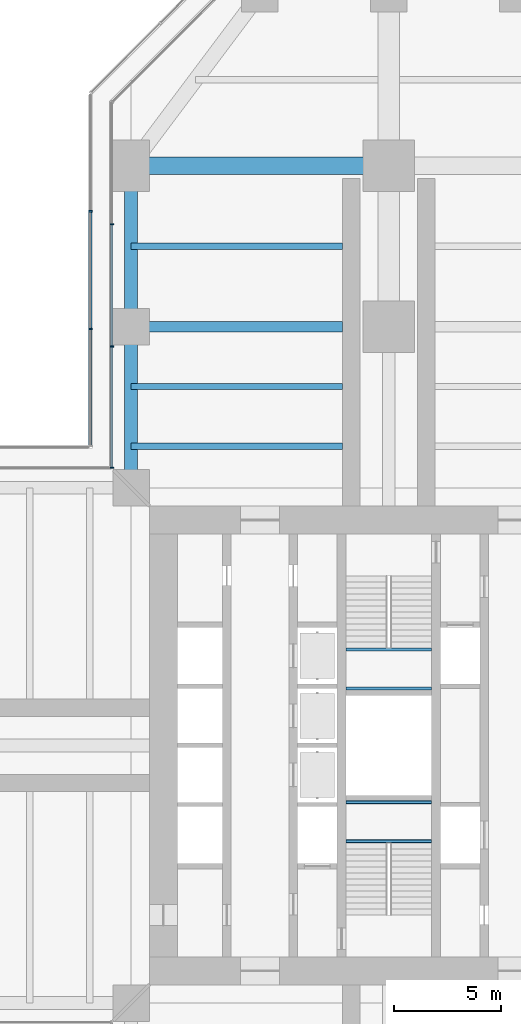
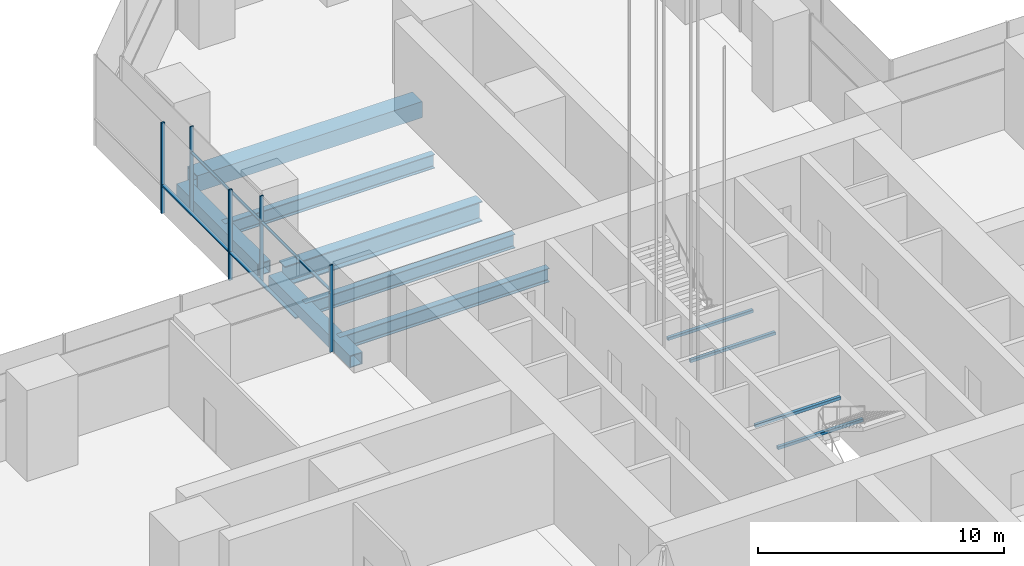
# One storey, part 8 of 27: 11 beams, 9 members, 2 elements without a shape of their own.
"""IFC4 building model written with IfcOpenShell, lengths in metres."""

from ifc_helpers import new_model, si_unit, direction, frame, origin, origin_2d, place, context, subcontext, project, spatial, rectangle, hollow_rectangle, i_section, extrude, material, material_profile, profile_set, type_object, element, aggregate, save


model = new_model("IFC4")

# Units and contexts
model_context = context("Model", 3, precision=1e-05, world=origin(), true_north=direction((0.0, 1.0)))
body_context = subcontext(model_context, "Body", "Model", "MODEL_VIEW")
ifc_project = project(units=[si_unit("LENGTHUNIT", "METRE"), si_unit("AREAUNIT", "SQUARE_METRE"), si_unit("VOLUMEUNIT", "CUBIC_METRE"), si_unit("PLANEANGLEUNIT", "RADIAN"), si_unit("MASSUNIT", "GRAM", prefix="KILO")], contexts=[model_context])

# Site, building, storey
site_placement = place(None, origin())
site = spatial("IfcSite", under=ifc_project, at=site_placement, CompositionType="ELEMENT")
building_placement = place(site_placement, origin())
building = spatial("IfcBuilding", under=site, at=building_placement, Name="Mizan Broadcast Tower", CompositionType="ELEMENT")
storey_placement = place(building_placement, frame((0.0, 0.0, 113.699951171875)))
storey = spatial("IfcBuildingStorey", under=building, at=storey_placement, Name="L25", CompositionType="ELEMENT", Elevation=113.699951171875)

# Beams
ifc_material_1 = material(Name="Steel S355", Category="steel")
ifc_material_profile_1 = material_profile(ifc_material_1, hollow_rectangle(XDim=0.60009765625, YDim=0.60009765625, WallThickness=0.0400390625, at=origin_2d()), Name="BOX 600x600x40")
ifc_profile_set_1 = profile_set([ifc_material_profile_1], Name="Steel S355")
beam_type_1 = type_object("IfcBeamType", Name="EDGE BEAM BOX 600x600x40", PredefinedType="SPANDREL", material=ifc_profile_set_1)
for number, where, z_axis, x_axis, name in (
    (1, (-12.0, 12.449951171875, -0.429931640625), (0.0, 1.0, 0.0), (-1.0, 0.0, 0.0), "Edge beam BOX 600x600x40 L25 north arm"),
    (2, (-12.0, 19.949951171875, -0.429931640625), (0.0, 1.0, 0.0), (-1.0, 0.0, 0.0), "Edge beam BOX 600x600x40 L25 north arm"),
):
    element("IfcBeam", number, at=place(storey_placement, frame(where, z_axis=z_axis, x_axis=x_axis)), inside=storey, type_object=beam_type_1, Name=name, PredefinedType="SPANDREL", context=body_context, shape_type="SweptSolid", body=[
        extrude(hollow_rectangle(XDim=0.60009765625, YDim=0.60009765625, WallThickness=0.0400390625, at=origin_2d()), origin(), (0.0, 0.0, 1.0), 6.60009765625),
    ])
ifc_material_2 = material(Name="Steel S460", Category="steel")
ifc_material_profile_2 = material_profile(ifc_material_2, hollow_rectangle(XDim=0.800048828125, YDim=0.800048828125, WallThickness=0.050048828125, at=origin_2d()), Name="BOX 800x800x50")
ifc_profile_set_2 = profile_set([ifc_material_profile_2], Name="Steel S460")
beam_type_2 = type_object("IfcBeamType", Name="GIRDER BOX 800x800x50", PredefinedType="BEAM", material=ifc_profile_set_2)
beam_1_placement = place(storey_placement, frame((-11.280029296875, 27.0, -0.530029296875), z_axis=(1.0, 0.0, 0.0), x_axis=(0.0, 1.0, 0.0)))
element("IfcBeam", 3, at=beam_1_placement, inside=storey, type_object=beam_type_2, Name="Girder BOX 800x800x50 L25 north arm", PredefinedType="BEAM", context=body_context, shape_type="SweptSolid", body=[
    extrude(hollow_rectangle(XDim=0.800048828125, YDim=0.800048828125, WallThickness=0.050048828125, at=origin_2d()), origin(), (0.0, 0.0, 1.0), 10.56005859375),
])
ifc_material_3 = material(Name="Steel S460", Category="steel")
ifc_material_profile_3 = material_profile(ifc_material_3, i_section(OverallWidth=0.5, OverallDepth=1.0, WebThickness=0.02490234375, FlangeThickness=0.050048828125, at=origin_2d()), Name="WPG 1000x500")
ifc_profile_set_3 = profile_set([ifc_material_profile_3], Name="Steel S460")
beam_type_3 = type_object("IfcBeamType", Name="GIRDER WPG 1000x500", PredefinedType="BEAM", material=ifc_profile_set_3)
beam_2_placement = place(storey_placement, frame((-11.408935546875, 19.5, -0.6298828125), z_axis=(1.0, 0.0, 0.0), x_axis=(0.0, 1.0, 0.0)))
element("IfcBeam", 4, at=beam_2_placement, inside=storey, type_object=beam_type_3, Name="Girder WPG 1000x500 L25 north arm", PredefinedType="BEAM", context=body_context, shape_type="SweptSolid", body=[
    extrude(i_section(OverallWidth=0.5, OverallDepth=1.0, WebThickness=0.02490234375, FlangeThickness=0.050048828125, at=origin_2d()), origin(), (0.0, 0.0, 1.0), 9.259033203125),
])

# Curtain wall, members
ifc_material_4 = material(Name="Aluminium framed glazing", Category="aluminium")
curtain_wall_type_1 = type_object("IfcCurtainWallType", Name="INNER SKIN MID ZONE", PredefinedType="USERDEFINED", material=ifc_material_4)
curtain_wall_1_placement = place(storey_placement, origin())
curtain_wall_1 = element("IfcCurtainWall", 5, at=curtain_wall_1_placement, inside=storey, type_object=curtain_wall_type_1, Name="Inner skin mid zone L25 N side", ObjectType="INNER SKIN MID ZONE", PredefinedType="USERDEFINED")
ifc_material_5 = material(Name="Aluminium, pale anodised", Category="aluminium")
ifc_material_profile_4 = material_profile(ifc_material_5, rectangle(XDim=0.159912109375, YDim=0.06005859375, at=origin_2d()), Name="MULLION 160x60")
ifc_profile_set_4 = profile_set([ifc_material_profile_4], Name="Aluminium, pale anodised")
member_type_1 = type_object("IfcMemberType", Name="INNER SKIN MULLION 60x160", PredefinedType="MULLION", material=ifc_profile_set_4)
member_1_placement = place(storey_placement, frame((-12.89990234375, 24.2724609375, 0.0), z_axis=(0.0, 0.0, 1.0), x_axis=(1.0, 0.0, 0.0)))
member_1 = element("IfcMember", 6, at=member_1_placement, type_object=member_type_1, Name="Inner skin mid zone L25 N side mullion 2", PredefinedType="MULLION", context=body_context, shape_type="SweptSolid", body=[
    extrude(rectangle(XDim=0.159912109375, YDim=0.06005859375, at=origin_2d()), origin(), (0.0, 0.0, 1.0), 4.320068359375),
])
member_2_placement = place(storey_placement, frame((-12.89990234375, 18.586181640625, 0.0), z_axis=(0.0, 0.0, 1.0), x_axis=(1.0, 0.0, 0.0)))
member_2 = element("IfcMember", 7, at=member_2_placement, type_object=member_type_1, Name="Inner skin mid zone L25 N side mullion 3", PredefinedType="MULLION", context=body_context, shape_type="SweptSolid", body=[
    extrude(rectangle(XDim=0.159912109375, YDim=0.06005859375, at=origin_2d()), origin(), (0.0, 0.0, 1.0), 4.320068359375),
])
member_3_placement = place(storey_placement, frame((-12.89990234375, 12.929931640625, 0.0), z_axis=(0.0, 0.0, 1.0), x_axis=(1.0, 0.0, 0.0)))
member_3 = element("IfcMember", 8, at=member_3_placement, type_object=member_type_1, Name="Inner skin mid zone L25 N side mullion 4", PredefinedType="MULLION", context=body_context, shape_type="SweptSolid", body=[
    extrude(rectangle(XDim=0.159912109375, YDim=0.06005859375, at=origin_2d()), origin(), (0.0, 0.0, 1.0), 4.320068359375),
])
ifc_material_6 = material(Name="Aluminium, pale anodised", Category="aluminium")
ifc_material_profile_5 = material_profile(ifc_material_6, rectangle(XDim=0.1201171875, YDim=0.06005859375, at=origin_2d()), Name="TRANSOM 120x60")
ifc_profile_set_5 = profile_set([ifc_material_profile_5], Name="Aluminium, pale anodised")
member_type_2 = type_object("IfcMemberType", Name="INNER SKIN TRANSOM 60x120", PredefinedType="USERDEFINED", material=ifc_profile_set_5)
member_4_placement = place(storey_placement, frame((-12.89990234375, 24.242431640625, 3.030029296875), z_axis=(0.0, -1.0, 0.0), x_axis=(1.0, 0.0, 0.0)))
member_4 = element("IfcMember", 9, at=member_4_placement, type_object=member_type_2, Name="Inner skin mid zone L25 N side transom 2.1", ObjectType="TRANSOM", PredefinedType="USERDEFINED", context=body_context, shape_type="SweptSolid", body=[
    extrude(rectangle(XDim=0.1201171875, YDim=0.06005859375, at=origin_2d()), origin(), (0.0, 0.0, 1.0), 5.626220703125),
])
member_5_placement = place(storey_placement, frame((-12.89990234375, 18.55615234375, 3.030029296875), z_axis=(0.0, -1.0, 0.0), x_axis=(1.0, 0.0, 0.0)))
member_5 = element("IfcMember", 10, at=member_5_placement, type_object=member_type_2, Name="Inner skin mid zone L25 N side transom 3.1", ObjectType="TRANSOM", PredefinedType="USERDEFINED", context=body_context, shape_type="SweptSolid", body=[
    extrude(rectangle(XDim=0.1201171875, YDim=0.06005859375, at=origin_2d()), origin(), (0.0, 0.0, 1.0), 5.59619140625),
])
aggregate(curtain_wall_1, [member_1, member_2, member_3, member_4, member_5])

# Beams
ifc_material_7 = material(Name="Steel S355", Category="steel")
ifc_material_profile_6 = material_profile(ifc_material_7, hollow_rectangle(XDim=0.14990234375, YDim=0.14990234375, WallThickness=0.008056640625, InnerFilletRadius=0.008056640625, OuterFilletRadius=0.011962890625, at=origin_2d()), Name="SHS 150x150x8")
ifc_profile_set_6 = profile_set([ifc_material_profile_6], Name="Steel S355")
beam_type_4 = type_object("IfcBeamType", Name="LANDING TRIMMER SHS 150x150x8", PredefinedType="BEAM", material=ifc_profile_set_6)
for number, where, z_axis, x_axis, name in (
    (11, (-2.0, -4.465087890625, 1.97509765625), (1.0, 0.0, 0.0), (0.0, 1.0, 0.0), "Stair A landing trimmer L25"),
    (12, (-2.0, -2.64990234375, 1.97509765625), (1.0, 0.0, 0.0), (0.0, 1.0, 0.0), "Stair A landing trimmer L25"),
    (13, (2.0, 4.465087890625, 1.97509765625), (-1.0, 0.0, 0.0), (0.0, -1.0, 0.0), "Stair B landing trimmer L25"),
    (14, (2.0, 2.64990234375, 1.97509765625), (-1.0, 0.0, 0.0), (0.0, -1.0, 0.0), "Stair B landing trimmer L25"),
):
    element("IfcBeam", number, at=place(storey_placement, frame(where, z_axis=z_axis, x_axis=x_axis)), inside=storey, type_object=beam_type_4, Name=name, PredefinedType="BEAM", context=body_context, shape_type="SweptSolid", body=[
        extrude(hollow_rectangle(XDim=0.14990234375, YDim=0.14990234375, WallThickness=0.008056640625, InnerFilletRadius=0.008056640625, OuterFilletRadius=0.011962890625, at=origin_2d()), origin(), (0.0, 0.0, 1.0), 4.0),
    ])

# Curtain wall, members
ifc_material_8 = material(Name="Aluminium framed glazing", Category="aluminium")
curtain_wall_type_2 = type_object("IfcCurtainWallType", Name="OUTER SKIN", PredefinedType="USERDEFINED", material=ifc_material_8)
curtain_wall_2_placement = place(storey_placement, origin())
curtain_wall_2 = element("IfcCurtainWall", 15, at=curtain_wall_2_placement, inside=storey, type_object=curtain_wall_type_2, Name="Outer skin L25 N side", ObjectType="OUTER SKIN", PredefinedType="USERDEFINED")
ifc_material_9 = material(Name="Aluminium, pale anodised", Category="aluminium")
ifc_material_profile_7 = material_profile(ifc_material_9, rectangle(XDim=0.159912109375, YDim=0.080078125, at=origin_2d()), Name="MULLION 160x80")
ifc_profile_set_7 = profile_set([ifc_material_profile_7], Name="Aluminium, pale anodised")
member_type_3 = type_object("IfcMemberType", Name="OUTER SKIN MULLION 80x160", PredefinedType="MULLION", material=ifc_profile_set_7)
member_6_placement = place(storey_placement, frame((-13.89990234375, 24.8818359375, 0.0), z_axis=(0.0, 0.0, 1.0), x_axis=(1.0, 0.0, 0.0)))
member_6 = element("IfcMember", 16, at=member_6_placement, type_object=member_type_3, Name="Outer skin L25 N side mullion 2", PredefinedType="MULLION", context=body_context, shape_type="SweptSolid", body=[
    extrude(rectangle(XDim=0.159912109375, YDim=0.080078125, at=origin_2d()), origin(), (0.0, 0.0, 1.0), 4.5),
])
member_7_placement = place(storey_placement, frame((-13.89990234375, 19.390869140625, 0.0), z_axis=(0.0, 0.0, 1.0), x_axis=(1.0, 0.0, 0.0)))
member_7 = element("IfcMember", 17, at=member_7_placement, type_object=member_type_3, Name="Outer skin L25 N side mullion 3", PredefinedType="MULLION", context=body_context, shape_type="SweptSolid", body=[
    extrude(rectangle(XDim=0.159912109375, YDim=0.080078125, at=origin_2d()), origin(), (0.0, 0.0, 1.0), 4.5),
])
ifc_material_10 = material(Name="Aluminium, pale anodised", Category="aluminium")
ifc_material_profile_8 = material_profile(ifc_material_10, rectangle(XDim=0.159912109375, YDim=0.06005859375, at=origin_2d()), Name="TRANSOM 160x60")
ifc_profile_set_8 = profile_set([ifc_material_profile_8], Name="Aluminium, pale anodised")
member_type_4 = type_object("IfcMemberType", Name="OUTER SKIN TRANSOM 60x160", PredefinedType="USERDEFINED", material=ifc_profile_set_8)
member_8_placement = place(storey_placement, frame((-13.89990234375, 24.841796875, 1.400146484375), z_axis=(0.0, -1.0, 0.0), x_axis=(1.0, 0.0, 0.0)))
member_8 = element("IfcMember", 18, at=member_8_placement, type_object=member_type_4, Name="Outer skin L25 N side transom 2.1", ObjectType="TRANSOM", PredefinedType="USERDEFINED", context=body_context, shape_type="SweptSolid", body=[
    extrude(rectangle(XDim=0.159912109375, YDim=0.06005859375, at=origin_2d()), origin(), (0.0, 0.0, 1.0), 5.410888671875),
])
member_9_placement = place(storey_placement, frame((-13.89990234375, 19.350830078125, 1.400146484375), z_axis=(0.0, -1.0, 0.0), x_axis=(1.0, 0.0, 0.0)))
member_9 = element("IfcMember", 19, at=member_9_placement, type_object=member_type_4, Name="Outer skin L25 N side transom 3.1", ObjectType="TRANSOM", PredefinedType="USERDEFINED", context=body_context, shape_type="SweptSolid", body=[
    extrude(rectangle(XDim=0.159912109375, YDim=0.06005859375, at=origin_2d()), origin(), (0.0, 0.0, 1.0), 5.370849609375),
])
aggregate(curtain_wall_2, [member_6, member_7, member_8, member_9])

# Beams
ifc_material_11 = material(Name="Steel S355", Category="steel")
ifc_material_profile_9 = material_profile(ifc_material_11, i_section(OverallWidth=0.300048828125, OverallDepth=0.68994140625, WebThickness=0.014404296875, FlangeThickness=0.027099609375, FilletRadius=0.027099609375, at=origin_2d()), Name="HEA 700")
ifc_profile_set_9 = profile_set([ifc_material_profile_9], Name="Steel S355")
beam_type_5 = type_object("IfcBeamType", Name="SECONDARY BEAM HEA 700", PredefinedType="JOIST", material=ifc_profile_set_9)
for number, where, z_axis, x_axis, name in (
    (20, (-12.0, 13.933349609375, -0.474853515625), (1.0, 0.0, 0.0), (0.0, 1.0, 0.0), "Secondary beam HEA 700 L25 north arm"),
    (21, (-12.0, 16.716552734375, -0.474853515625), (1.0, 0.0, 0.0), (0.0, 1.0, 0.0), "Secondary beam HEA 700 L25 north arm"),
    (22, (-12.0, 23.25, -0.474853515625), (1.0, 0.0, 0.0), (0.0, 1.0, 0.0), "Secondary beam HEA 700 L25 north arm"),
):
    element("IfcBeam", number, at=place(storey_placement, frame(where, z_axis=z_axis, x_axis=x_axis)), inside=storey, type_object=beam_type_5, Name=name, PredefinedType="JOIST", context=body_context, shape_type="SweptSolid", body=[
        extrude(i_section(OverallWidth=0.300048828125, OverallDepth=0.68994140625, WebThickness=0.014404296875, FlangeThickness=0.027099609375, FilletRadius=0.027099609375, at=origin_2d()), origin(), (0.0, 0.0, 1.0), 9.85009765625),
    ])

save(model, "model.ifc")
